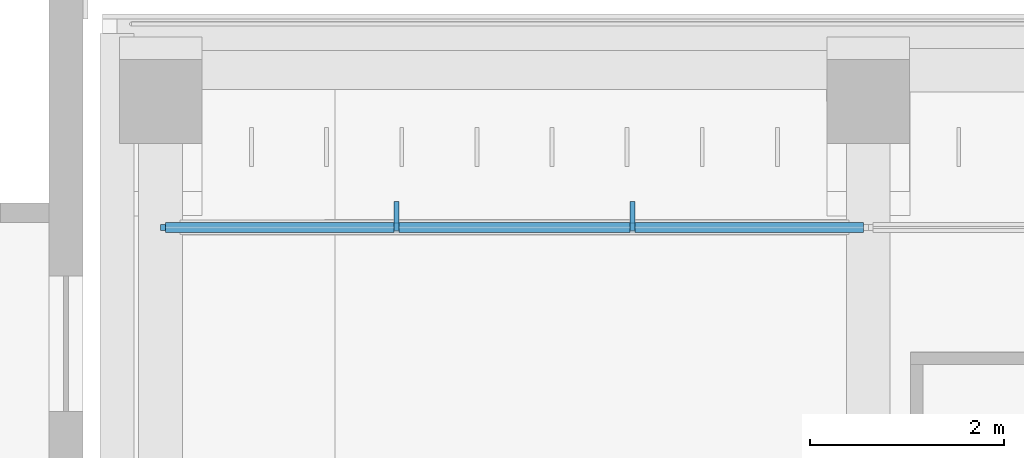
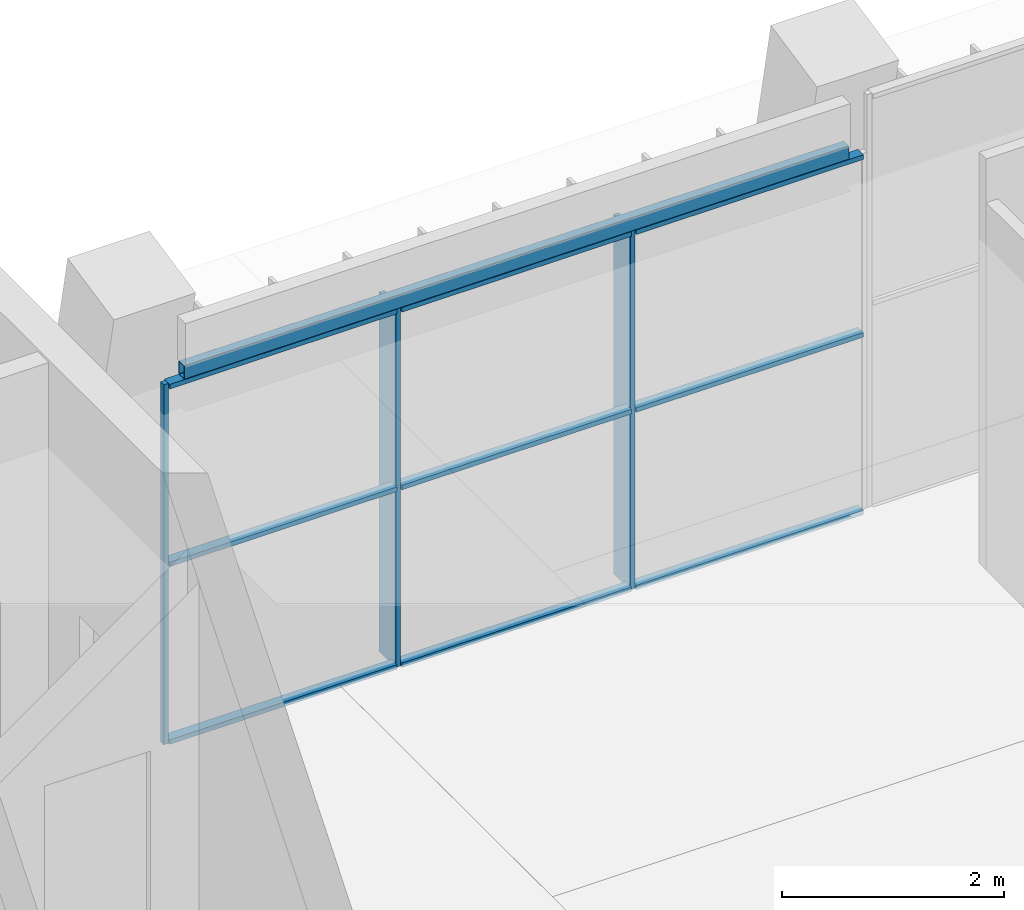
# One storey, part 8 of 92: 12 members, 1 beam, 1 element without a shape of its own.
"""IFC4 building model written with IfcOpenShell, lengths in metres."""

from ifc_helpers import new_model, si_unit, direction, frame, origin, origin_2d, place, context, subcontext, project, spatial, rectangle, hollow_rectangle, extrude, material, material_profile, profile_set, type_object, element, aggregate, save


model = new_model("IFC4")

# Units and contexts
model_context = context("Model", 3, precision=1e-05, world=origin(), true_north=direction((0.0, 1.0)))
body_context = subcontext(model_context, "Body", "Model", "MODEL_VIEW")
ifc_project = project(units=[si_unit("LENGTHUNIT", "METRE"), si_unit("AREAUNIT", "SQUARE_METRE"), si_unit("VOLUMEUNIT", "CUBIC_METRE"), si_unit("PLANEANGLEUNIT", "RADIAN"), si_unit("MASSUNIT", "GRAM", prefix="KILO")], contexts=[model_context])

# Site, building, storey
site_placement = place(None, origin())
site = spatial("IfcSite", under=ifc_project, at=site_placement, CompositionType="ELEMENT")
building_placement = place(site_placement, origin())
building = spatial("IfcBuilding", under=site, at=building_placement, Name="Lantern Court Media Centre", CompositionType="ELEMENT")
storey_placement = place(building_placement, frame((0.0, 0.0, 4.800048828125)))
storey = spatial("IfcBuildingStorey", under=building, at=storey_placement, Name="L01", CompositionType="ELEMENT", Elevation=4.800048828125)

# Curtain wall, members
ifc_material_1 = material(Name="Curtain wall bay 2400")
curtain_wall_type = type_object("IfcCurtainWallType", Name="Curtain wall bay 2400", PredefinedType="NOTDEFINED", material=ifc_material_1)
curtain_wall_placement = place(storey_placement, origin())
curtain_wall = element("IfcCurtainWall", 1, at=curtain_wall_placement, inside=storey, type_object=curtain_wall_type, Name="Curtain wall S inner L01", PredefinedType="NOTDEFINED")
ifc_material_2 = material(Name="Anodised aluminium", Category="aluminium")
ifc_material_profile_1 = material_profile(ifc_material_2, rectangle(XDim=0.300048828125, YDim=0.050048828125, at=origin_2d()), Name="AL 50x300")
ifc_profile_set_1 = profile_set([ifc_material_profile_1], Name="Anodised aluminium")
member_type_1 = type_object("IfcMemberType", Name="Curtain wall mullion 50x300", PredefinedType="MULLION", material=ifc_profile_set_1)
member_1_placement = place(storey_placement, frame((27.13330078125, 60.969970703125, 0.0), z_axis=(0.0, 0.0, 1.0), x_axis=(0.0, 1.0, 0.0)))
member_1 = element("IfcMember", 2, at=member_1_placement, type_object=member_type_1, Name="CW2 mullion 2", PredefinedType="MULLION", context=body_context, shape_type="SweptSolid", body=[
    extrude(rectangle(XDim=0.300048828125, YDim=0.050048828125, at=origin_2d()), origin(), (0.0, 0.0, 1.0), 3.949951171875),
])
member_2_placement = place(storey_placement, frame((29.566650390625, 60.969970703125, 0.0), z_axis=(0.0, 0.0, 1.0), x_axis=(0.0, 1.0, 0.0)))
member_2 = element("IfcMember", 3, at=member_2_placement, type_object=member_type_1, Name="CW2 mullion 3", PredefinedType="MULLION", context=body_context, shape_type="SweptSolid", body=[
    extrude(rectangle(XDim=0.300048828125, YDim=0.050048828125, at=origin_2d()), origin(), (0.0, 0.0, 1.0), 3.949951171875),
])
ifc_material_profile_2 = material_profile(ifc_material_2, rectangle(XDim=0.06005859375, YDim=0.050048828125, at=origin_2d()), Name="AL 50x60")
ifc_profile_set_2 = profile_set([ifc_material_profile_2], Name="Anodised aluminium")
member_type_2 = type_object("IfcMemberType", Name="Curtain wall mullion 50x60", PredefinedType="MULLION", material=ifc_profile_set_2)
member_3_placement = place(storey_placement, frame((24.72509765625, 60.85009765625, 0.0), z_axis=(0.0, 0.0, 1.0), x_axis=(0.0, 1.0, 0.0)))
member_3 = element("IfcMember", 4, at=member_3_placement, type_object=member_type_2, Name="CW2 mullion 1", PredefinedType="MULLION", context=body_context, shape_type="SweptSolid", body=[
    extrude(rectangle(XDim=0.06005859375, YDim=0.050048828125, at=origin_2d()), origin(), (0.0, 0.0, 1.0), 3.949951171875),
])
ifc_material_profile_3 = material_profile(ifc_material_2, rectangle(XDim=0.10009765625, YDim=0.050048828125, at=origin_2d()), Name="AL 50x100")
ifc_profile_set_3 = profile_set([ifc_material_profile_3], Name="Anodised aluminium")
member_type_3 = type_object("IfcMemberType", Name="Curtain wall transom 100x50", PredefinedType="USERDEFINED", material=ifc_profile_set_3)
member_4_placement = place(storey_placement, frame((24.75, 60.85009765625, 0.02490234375), z_axis=(1.0, 0.0, 0.0), x_axis=(0.0, 1.0, 0.0)))
member_4 = element("IfcMember", 5, at=member_4_placement, type_object=member_type_3, Name="CW2 transom 1.1", ObjectType="TRANSOM", PredefinedType="USERDEFINED", context=body_context, shape_type="SweptSolid", body=[
    extrude(rectangle(XDim=0.10009765625, YDim=0.050048828125, at=origin_2d()), origin(), (0.0, 0.0, 1.0), 2.3583984375),
])
member_5_placement = place(storey_placement, frame((24.75, 60.85009765625, 1.974853515625), z_axis=(1.0, 0.0, 0.0), x_axis=(0.0, 1.0, 0.0)))
member_5 = element("IfcMember", 6, at=member_5_placement, type_object=member_type_3, Name="CW2 transom 1.2", ObjectType="TRANSOM", PredefinedType="USERDEFINED", context=body_context, shape_type="SweptSolid", body=[
    extrude(rectangle(XDim=0.10009765625, YDim=0.050048828125, at=origin_2d()), origin(), (0.0, 0.0, 1.0), 2.3583984375),
])
member_6_placement = place(storey_placement, frame((24.75, 60.85009765625, 3.925048828125), z_axis=(1.0, 0.0, 0.0), x_axis=(0.0, 1.0, 0.0)))
member_6 = element("IfcMember", 7, at=member_6_placement, type_object=member_type_3, Name="CW2 transom 1.3", ObjectType="TRANSOM", PredefinedType="USERDEFINED", context=body_context, shape_type="SweptSolid", body=[
    extrude(rectangle(XDim=0.10009765625, YDim=0.050048828125, at=origin_2d()), origin(), (0.0, 0.0, 1.0), 2.3583984375),
])
member_7_placement = place(storey_placement, frame((27.158447265625, 60.85009765625, 0.02490234375), z_axis=(1.0, 0.0, 0.0), x_axis=(0.0, 1.0, 0.0)))
member_7 = element("IfcMember", 8, at=member_7_placement, type_object=member_type_3, Name="CW2 transom 2.1", ObjectType="TRANSOM", PredefinedType="USERDEFINED", context=body_context, shape_type="SweptSolid", body=[
    extrude(rectangle(XDim=0.10009765625, YDim=0.050048828125, at=origin_2d()), origin(), (0.0, 0.0, 1.0), 2.38330078125),
])
member_8_placement = place(storey_placement, frame((27.158447265625, 60.85009765625, 1.974853515625), z_axis=(1.0, 0.0, 0.0), x_axis=(0.0, 1.0, 0.0)))
member_8 = element("IfcMember", 9, at=member_8_placement, type_object=member_type_3, Name="CW2 transom 2.2", ObjectType="TRANSOM", PredefinedType="USERDEFINED", context=body_context, shape_type="SweptSolid", body=[
    extrude(rectangle(XDim=0.10009765625, YDim=0.050048828125, at=origin_2d()), origin(), (0.0, 0.0, 1.0), 2.38330078125),
])
member_9_placement = place(storey_placement, frame((27.158447265625, 60.85009765625, 3.925048828125), z_axis=(1.0, 0.0, 0.0), x_axis=(0.0, 1.0, 0.0)))
member_9 = element("IfcMember", 10, at=member_9_placement, type_object=member_type_3, Name="CW2 transom 2.3", ObjectType="TRANSOM", PredefinedType="USERDEFINED", context=body_context, shape_type="SweptSolid", body=[
    extrude(rectangle(XDim=0.10009765625, YDim=0.050048828125, at=origin_2d()), origin(), (0.0, 0.0, 1.0), 2.38330078125),
])
member_10_placement = place(storey_placement, frame((29.591552734375, 60.85009765625, 0.02490234375), z_axis=(1.0, 0.0, 0.0), x_axis=(0.0, 1.0, 0.0)))
member_10 = element("IfcMember", 11, at=member_10_placement, type_object=member_type_3, Name="CW2 transom 3.1", ObjectType="TRANSOM", PredefinedType="USERDEFINED", context=body_context, shape_type="SweptSolid", body=[
    extrude(rectangle(XDim=0.10009765625, YDim=0.050048828125, at=origin_2d()), origin(), (0.0, 0.0, 1.0), 2.3583984375),
])
member_11_placement = place(storey_placement, frame((29.591552734375, 60.85009765625, 1.974853515625), z_axis=(1.0, 0.0, 0.0), x_axis=(0.0, 1.0, 0.0)))
member_11 = element("IfcMember", 12, at=member_11_placement, type_object=member_type_3, Name="CW2 transom 3.2", ObjectType="TRANSOM", PredefinedType="USERDEFINED", context=body_context, shape_type="SweptSolid", body=[
    extrude(rectangle(XDim=0.10009765625, YDim=0.050048828125, at=origin_2d()), origin(), (0.0, 0.0, 1.0), 2.3583984375),
])
member_12_placement = place(storey_placement, frame((29.591552734375, 60.85009765625, 3.925048828125), z_axis=(1.0, 0.0, 0.0), x_axis=(0.0, 1.0, 0.0)))
member_12 = element("IfcMember", 13, at=member_12_placement, type_object=member_type_3, Name="CW2 transom 3.3", ObjectType="TRANSOM", PredefinedType="USERDEFINED", context=body_context, shape_type="SweptSolid", body=[
    extrude(rectangle(XDim=0.10009765625, YDim=0.050048828125, at=origin_2d()), origin(), (0.0, 0.0, 1.0), 2.3583984375),
])
aggregate(curtain_wall, [member_3, member_1, member_2, member_4, member_5, member_6, member_7, member_8, member_9, member_10, member_11, member_12])

# Beam
ifc_material_3 = material(Name="Steel S355J2 (EN 10025-2)", Category="steel")
ifc_material_profile_4 = material_profile(ifc_material_3, hollow_rectangle(XDim=0.10009765625, YDim=0.14990234375, WallThickness=0.00634765625, InnerFilletRadius=0.00634765625, OuterFilletRadius=0.009521484375, at=origin_2d()), Name="Facade head lintel RHS 150x100x6.3")
ifc_profile_set_4 = profile_set([ifc_material_profile_4], Name="Steel S355J2 (EN 10025-2)")
beam_type = type_object("IfcBeamType", Name="Facade head lintel RHS 150x100x6.3", PredefinedType="BEAM", material=ifc_profile_set_4)
beam_placement = place(storey_placement, frame((24.89990234375, 60.85009765625, 4.02490234375), z_axis=(1.0, 0.0, 0.0), x_axis=(0.0, 1.0, 0.0)))
element("IfcBeam", 14, at=beam_placement, inside=storey, type_object=beam_type, Name="Facade head lintel S L01", PredefinedType="BEAM", context=body_context, shape_type="SweptSolid", body=[
    extrude(hollow_rectangle(XDim=0.10009765625, YDim=0.14990234375, WallThickness=0.00634765625, InnerFilletRadius=0.00634765625, OuterFilletRadius=0.009521484375, at=origin_2d()), origin(), (0.0, 0.0, 1.0), 6.900146484375),
])

save(model, "model.ifc")
